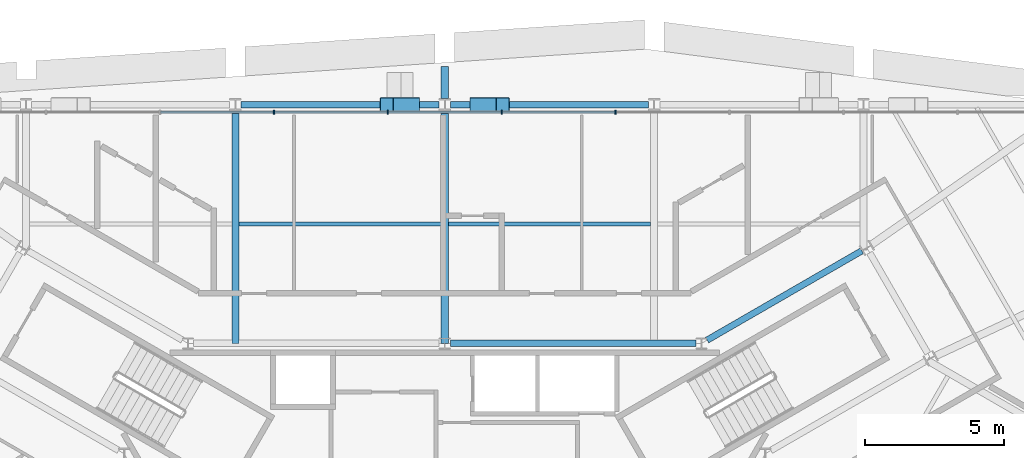
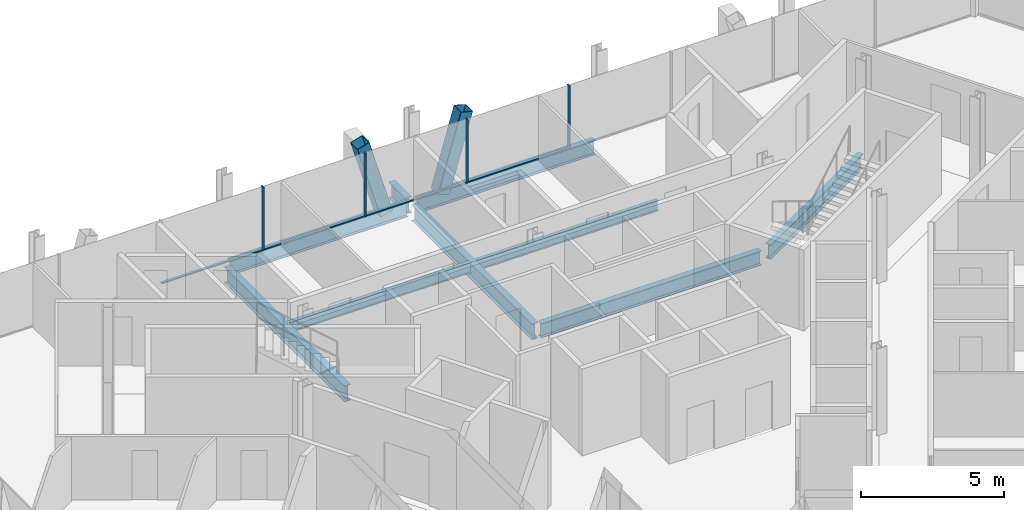
# One storey, part 6 of 13: 10 members, 9 beams, 1 element without a shape of its own.
"""IFC4 building model written with IfcOpenShell, lengths in metres."""

from ifc_helpers import new_model, si_unit, direction, frame, origin, origin_2d, place, context, subcontext, project, spatial, rectangle, hollow_rectangle, i_section, extrude, material, material_profile, profile_set, type_object, element, aggregate, save


model = new_model("IFC4")

# Units and contexts
model_context = context("Model", 3, precision=1e-05, world=origin(), true_north=direction((0.0, 1.0)))
body_context = subcontext(model_context, "Body", "Model", "MODEL_VIEW")
ifc_project = project(units=[si_unit("LENGTHUNIT", "METRE"), si_unit("AREAUNIT", "SQUARE_METRE"), si_unit("VOLUMEUNIT", "CUBIC_METRE"), si_unit("PLANEANGLEUNIT", "RADIAN"), si_unit("MASSUNIT", "GRAM", prefix="KILO")], contexts=[model_context])

# Site, building, storey
site_placement = place(None, origin())
site = spatial("IfcSite", under=ifc_project, at=site_placement, CompositionType="ELEMENT")
building_placement = place(site_placement, origin())
building = spatial("IfcBuilding", under=site, at=building_placement, Name="Verrane Prism Tower", CompositionType="ELEMENT")
storey_placement = place(building_placement, frame((0.0, 0.0, 152.5)))
storey = spatial("IfcBuildingStorey", under=building, at=storey_placement, Name="L37", CompositionType="ELEMENT", Elevation=152.5)

# Beams
ifc_material_1 = material(Name="Steel A992", Category="steel")
ifc_material_profile_1 = material_profile(ifc_material_1, i_section(OverallWidth=0.23046875, OverallDepth=0.6171875, WebThickness=0.01318359375, FlangeThickness=0.022216796875, FilletRadius=0.012939453125, at=origin_2d()), Name="W24x94")
ifc_profile_set_1 = profile_set([ifc_material_profile_1], Name="Steel A992")
beam_type_1 = type_object("IfcBeamType", Name="Core ring girder W24x94", PredefinedType="BEAM", material=ifc_profile_set_1)
beam_1_placement = place(storey_placement, frame((15.03955078125, 11.3359375, -0.55859375), z_axis=(-0.866075143088, -0.499913839102, 0.0), x_axis=(0.499913839102, -0.866075143088, 0.0)))
element("IfcBeam", 1, at=beam_1_placement, inside=storey, type_object=beam_type_1, Name="Core ring girder L37", PredefinedType="BEAM", context=body_context, shape_type="SweptSolid", body=[
    extrude(i_section(OverallWidth=0.23046875, OverallDepth=0.6171875, WebThickness=0.01318359375, FlangeThickness=0.022216796875, FilletRadius=0.012939453125, at=origin_2d()), origin(), (0.0, 0.0, 1.0), 6.441650390625),
])
beam_2_placement = place(storey_placement, frame((9.059326171875, 8.0, -0.55859375), z_axis=(-1.0, 0.0, 0.0), x_axis=(0.0, -1.0, 0.0)))
element("IfcBeam", 2, at=beam_2_placement, inside=storey, type_object=beam_type_1, Name="Core ring girder L37", PredefinedType="BEAM", context=body_context, shape_type="SweptSolid", body=[
    extrude(i_section(OverallWidth=0.23046875, OverallDepth=0.6171875, WebThickness=0.01318359375, FlangeThickness=0.022216796875, FilletRadius=0.012939453125, at=origin_2d()), origin(), (0.0, 0.0, 1.0), 8.858642578125),
])

# Members
ifc_material_2 = material(Name="Steel A500 Grade C", Category="steel")
ifc_material_profile_2 = material_profile(ifc_material_2, hollow_rectangle(XDim=0.508056640625, YDim=0.508056640625, WallThickness=0.01904296875, InnerFilletRadius=0.009521484375, OuterFilletRadius=0.028564453125, at=origin_2d()), Name="HSS20x20x3/4")
ifc_profile_set_2 = profile_set([ifc_material_profile_2], Name="Steel A500 Grade C")
member_type_1 = type_object("IfcMemberType", Name="Facade brace HSS20x20x3/4", PredefinedType="BRACE", material=ifc_profile_set_2)
for number, where, z_axis, x_axis, name in (
    (3, (1.152099609375, 16.610107421875, -0.216796875), (0.279831041073, 0.0, 0.960049263555), (0.0, 1.0, 0.0), "Facade brace N2 L37"),
    (4, (-1.152099609375, 16.610107421875, -0.216796875), (-0.279831041073, 0.0, 0.960049263555), (0.0, -1.0, 0.0), "Facade brace N3 L37"),
):
    element("IfcMember", number, at=place(storey_placement, frame(where, z_axis=z_axis, x_axis=x_axis)), inside=storey, type_object=member_type_1, Name=name, PredefinedType="BRACE", context=body_context, shape_type="SweptSolid", body=[
        extrude(hollow_rectangle(XDim=0.508056640625, YDim=0.508056640625, WallThickness=0.01904296875, InnerFilletRadius=0.009521484375, OuterFilletRadius=0.028564453125, at=origin_2d()), origin(), (0.0, 0.0, 1.0), 3.329345703125),
    ])

# Beams
ifc_material_3 = material(Name="Steel A992", Category="steel")
ifc_material_profile_3 = material_profile(ifc_material_3, i_section(OverallWidth=0.15234375, OverallDepth=0.449462890625, WebThickness=0.007568359375, FlangeThickness=0.0107421875, FilletRadius=0.01025390625, at=origin_2d()), Name="W18x35")
ifc_profile_set_3 = profile_set([ifc_material_profile_3], Name="Steel A992")
beam_type_2 = type_object("IfcBeamType", Name="Floor beam W18x35", PredefinedType="BEAM", material=ifc_profile_set_3)
for number, where, z_axis, x_axis, name in (
    (5, (0.126953125, 12.304931640625, -0.384765625), (1.0, 0.0, 0.0), (0.0, 1.0, 0.0), "Floor beam L37"),
    (6, (-7.423095703125, 12.304931640625, -0.384765625), (1.0, 0.0, 0.0), (0.0, 1.0, 0.0), "Floor beam L37"),
):
    element("IfcBeam", number, at=place(storey_placement, frame(where, z_axis=z_axis, x_axis=x_axis)), inside=storey, type_object=beam_type_2, Name=name, PredefinedType="BEAM", context=body_context, shape_type="SweptSolid", body=[
        extrude(i_section(OverallWidth=0.15234375, OverallDepth=0.449462890625, WebThickness=0.007568359375, FlangeThickness=0.0107421875, FilletRadius=0.01025390625, at=origin_2d()), origin(), (0.0, 0.0, 1.0), 7.296142578125),
    ])

# Curtain wall, members
ifc_material_4 = material(Name="Aluminium framed insulated glazing", Category="aluminium")
curtain_wall_type = type_object("IfcCurtainWallType", Name="Curtain wall CW-C 4200 module", PredefinedType="NOTDEFINED", material=ifc_material_4)
curtain_wall_placement = place(storey_placement, origin())
curtain_wall = element("IfcCurtainWall", 7, at=curtain_wall_placement, inside=storey, type_object=curtain_wall_type, Name="Glazed curtain wall north face L37", PredefinedType="NOTDEFINED")
ifc_material_5 = material(Name="Aluminium alloy 6063-T6", Category="aluminium")
ifc_material_profile_4 = material_profile(ifc_material_5, rectangle(XDim=0.139892578125, YDim=0.050048828125, at=origin_2d()), Name="Mullion 50x140 aluminium")
ifc_profile_set_4 = profile_set([ifc_material_profile_4], Name="Aluminium alloy 6063-T6")
member_type_2 = type_object("IfcMemberType", Name="Mullion 50x140 aluminium", PredefinedType="MULLION", material=ifc_profile_set_4)
member_1_placement = place(storey_placement, frame((6.16357421875, 16.3310546875, 0.0), z_axis=(0.0, 0.0, 1.0), x_axis=(0.0, -1.0, 0.0)))
member_1 = element("IfcMember", 8, at=member_1_placement, type_object=member_type_2, Name="CW36.2 mullion 5", PredefinedType="MULLION", context=body_context, shape_type="SweptSolid", body=[
    extrude(rectangle(XDim=0.139892578125, YDim=0.050048828125, at=origin_2d()), origin(), (0.0, 0.0, 1.0), 2.712890625),
])
member_2_placement = place(storey_placement, frame((2.054443359375, 16.3310546875, 0.0), z_axis=(0.0, 0.0, 1.0), x_axis=(0.0, -1.0, 0.0)))
member_2 = element("IfcMember", 9, at=member_2_placement, type_object=member_type_2, Name="CW36.2 mullion 6", PredefinedType="MULLION", context=body_context, shape_type="SweptSolid", body=[
    extrude(rectangle(XDim=0.139892578125, YDim=0.050048828125, at=origin_2d()), origin(), (0.0, 0.0, 1.0), 2.712890625),
])
member_3_placement = place(storey_placement, frame((-2.054443359375, 16.3310546875, 0.0), z_axis=(0.0, 0.0, 1.0), x_axis=(0.0, -1.0, 0.0)))
member_3 = element("IfcMember", 10, at=member_3_placement, type_object=member_type_2, Name="CW36.2 mullion 7", PredefinedType="MULLION", context=body_context, shape_type="SweptSolid", body=[
    extrude(rectangle(XDim=0.139892578125, YDim=0.050048828125, at=origin_2d()), origin(), (0.0, 0.0, 1.0), 2.712890625),
])
member_4_placement = place(storey_placement, frame((-6.16357421875, 16.3310546875, 0.0), z_axis=(0.0, 0.0, 1.0), x_axis=(0.0, -1.0, 0.0)))
member_4 = element("IfcMember", 11, at=member_4_placement, type_object=member_type_2, Name="CW36.2 mullion 8", PredefinedType="MULLION", context=body_context, shape_type="SweptSolid", body=[
    extrude(rectangle(XDim=0.139892578125, YDim=0.050048828125, at=origin_2d()), origin(), (0.0, 0.0, 1.0), 2.712890625),
])

# Beams
ifc_material_6 = material(Name="Steel A992", Category="steel")
ifc_material_profile_5 = material_profile(ifc_material_6, i_section(OverallWidth=0.25390625, OverallDepth=0.683349609375, WebThickness=0.012451171875, FlangeThickness=0.01904296875, FilletRadius=0.01513671875, at=origin_2d()), Name="W27x94")
ifc_profile_set_5 = profile_set([ifc_material_profile_5], Name="Steel A992")
beam_type_3 = type_object("IfcBeamType", Name="Radial girder W27x94", PredefinedType="BEAM", material=ifc_profile_set_5)
for number, where, z_axis, x_axis, name in (
    (12, (0.0, 16.392822265625, -0.5615234375), (0.0, -1.0, 0.0), (1.0, 0.0, 0.0), "Radial girder L37"),
    (13, (-7.550048828125, 16.392822265625, -0.5615234375), (0.0, -1.0, 0.0), (1.0, 0.0, 0.0), "Radial girder L37"),
):
    element("IfcBeam", number, at=place(storey_placement, frame(where, z_axis=z_axis, x_axis=x_axis)), inside=storey, type_object=beam_type_3, Name=name, PredefinedType="BEAM", context=body_context, shape_type="SweptSolid", body=[
        extrude(i_section(OverallWidth=0.25390625, OverallDepth=0.683349609375, WebThickness=0.012451171875, FlangeThickness=0.01904296875, FilletRadius=0.01513671875, at=origin_2d()), origin(), (0.0, 0.0, 1.0), 8.392822265625),
    ])
beam_3_placement = place(storey_placement, frame((0.0, 16.8232421875, -0.5615234375), z_axis=(0.0, 1.0, 0.0), x_axis=(-1.0, 0.0, 0.0)))
element("IfcBeam", 14, at=beam_3_placement, inside=storey, type_object=beam_type_3, Name="Cantilever girder L37", PredefinedType="BEAM", context=body_context, shape_type="SweptSolid", body=[
    extrude(i_section(OverallWidth=0.25390625, OverallDepth=0.683349609375, WebThickness=0.012451171875, FlangeThickness=0.01904296875, FilletRadius=0.01513671875, at=origin_2d()), origin(), (0.0, 0.0, 1.0), 1.166748046875),
])
ifc_material_7 = material(Name="Steel A992", Category="steel")
ifc_material_profile_6 = material_profile(ifc_material_7, i_section(OverallWidth=0.23046875, OverallDepth=0.6171875, WebThickness=0.01318359375, FlangeThickness=0.022216796875, FilletRadius=0.012939453125, at=origin_2d()), Name="W24x94")
ifc_profile_set_6 = profile_set([ifc_material_profile_6], Name="Steel A992")
beam_type_4 = type_object("IfcBeamType", Name="Spandrel beam W24x94", PredefinedType="SPANDREL", material=ifc_profile_set_6)
for number, where, z_axis, x_axis, name in (
    (15, (7.34423828125, 16.610107421875, -0.468505859375), (-1.0, 0.0, 0.0), (0.0, -1.0, 0.0), "Spandrel beam L37"),
    (16, (-0.205810546875, 16.610107421875, -0.468505859375), (-1.0, 0.0, 0.0), (0.0, -1.0, 0.0), "Spandrel beam L37"),
):
    element("IfcBeam", number, at=place(storey_placement, frame(where, z_axis=z_axis, x_axis=x_axis)), inside=storey, type_object=beam_type_4, Name=name, PredefinedType="SPANDREL", context=body_context, shape_type="SweptSolid", body=[
        extrude(i_section(OverallWidth=0.23046875, OverallDepth=0.6171875, WebThickness=0.01318359375, FlangeThickness=0.022216796875, FilletRadius=0.012939453125, at=origin_2d()), origin(), (0.0, 0.0, 1.0), 7.138427734375),
    ])

# Member
ifc_material_8 = material(Name="Aluminium alloy 6063-T6", Category="aluminium")
ifc_material_profile_7 = material_profile(ifc_material_8, rectangle(XDim=0.10009765625, YDim=0.050048828125, at=origin_2d()), Name="Transom 50x100 aluminium")
ifc_profile_set_7 = profile_set([ifc_material_profile_7], Name="Aluminium alloy 6063-T6")
member_type_3 = type_object("IfcMemberType", Name="Transom 50x100 aluminium", PredefinedType="USERDEFINED", material=ifc_profile_set_7)
member_5_placement = place(storey_placement, frame((6.138427734375, 16.3310546875, 0.02490234375), z_axis=(-1.0, 0.0, 0.0), x_axis=(0.0, -1.0, 0.0)))
member_5 = element("IfcMember", 17, at=member_5_placement, type_object=member_type_3, Name="CW36.2 transom 5", ObjectType="TRANSOM", PredefinedType="USERDEFINED", context=body_context, shape_type="SweptSolid", body=[
    extrude(rectangle(XDim=0.10009765625, YDim=0.050048828125, at=origin_2d()), origin(), (0.0, 0.0, 1.0), 4.058837890625),
])

member_6_placement = place(storey_placement, frame((2.029541015625, 16.3310546875, 0.02490234375), z_axis=(-1.0, 0.0, 0.0), x_axis=(0.0, -1.0, 0.0)))
member_6 = element("IfcMember", 18, at=member_6_placement, type_object=member_type_3, Name="CW36.2 transom 6", ObjectType="TRANSOM", PredefinedType="USERDEFINED", context=body_context, shape_type="SweptSolid", body=[
    extrude(rectangle(XDim=0.10009765625, YDim=0.050048828125, at=origin_2d()), origin(), (0.0, 0.0, 1.0), 4.05908203125),
])

member_7_placement = place(storey_placement, frame((-2.07958984375, 16.3310546875, 0.02490234375), z_axis=(-1.0, 0.0, 0.0), x_axis=(0.0, -1.0, 0.0)))
member_7 = element("IfcMember", 19, at=member_7_placement, type_object=member_type_3, Name="CW36.2 transom 7", ObjectType="TRANSOM", PredefinedType="USERDEFINED", context=body_context, shape_type="SweptSolid", body=[
    extrude(rectangle(XDim=0.10009765625, YDim=0.050048828125, at=origin_2d()), origin(), (0.0, 0.0, 1.0), 4.058837890625),
])

member_8_placement = place(storey_placement, frame((-6.1884765625, 16.3310546875, 0.02490234375), z_axis=(-1.0, 0.0, 0.0), x_axis=(0.0, -1.0, 0.0)))
member_8 = element("IfcMember", 20, at=member_8_placement, type_object=member_type_3, Name="CW36.2 transom 8", ObjectType="TRANSOM", PredefinedType="USERDEFINED", context=body_context, shape_type="SweptSolid", body=[
    extrude(rectangle(XDim=0.10009765625, YDim=0.050048828125, at=origin_2d()), origin(), (0.0, 0.0, 1.0), 4.05908203125),
])

aggregate(curtain_wall, [member_1, member_2, member_3, member_4, member_5, member_6, member_7, member_8])

save(model, "model.ifc")
